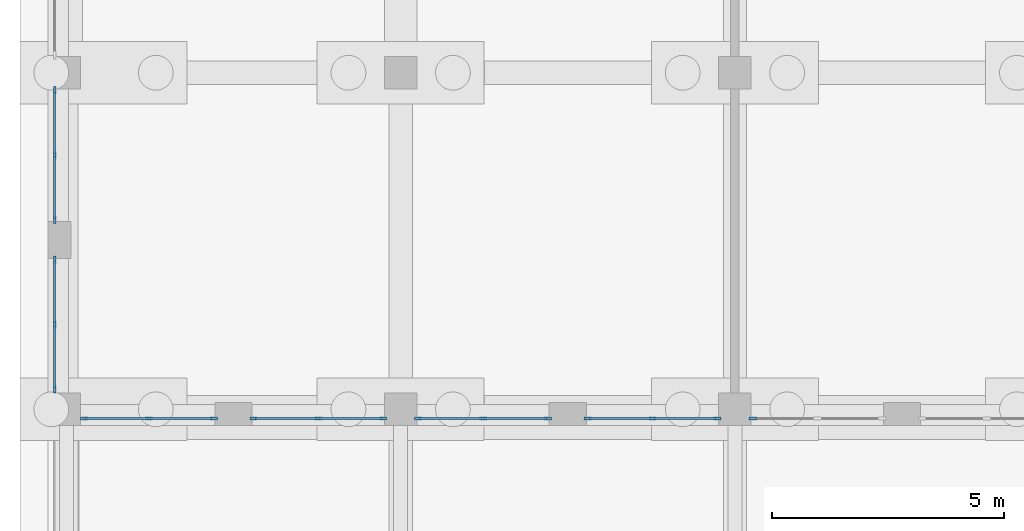
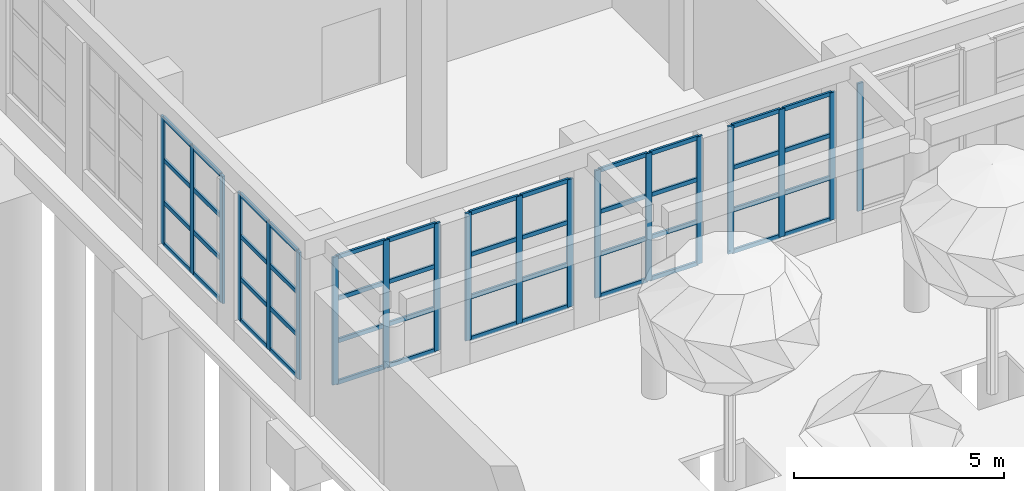
# One storey, part 21 of 80: 67 members, 7 elements without a shape of their own.
"""IFC4 building model written with IfcOpenShell, lengths in metres."""

from ifc_helpers import new_model, si_unit, direction, frame, origin, origin_2d, place, context, subcontext, project, spatial, rectangle, extrude, material, layer, layer_set, material_profile, profile_set, type_object, element, aggregate, save


model = new_model("IFC4")

# Units and contexts
model_context = context("Model", 3, precision=1e-05, world=origin(), true_north=direction((0.0, 1.0)))
body_context = subcontext(model_context, "Body", "Model", "MODEL_VIEW")
ifc_project = project(units=[si_unit("LENGTHUNIT", "METRE"), si_unit("AREAUNIT", "SQUARE_METRE"), si_unit("VOLUMEUNIT", "CUBIC_METRE"), si_unit("PLANEANGLEUNIT", "RADIAN"), si_unit("MASSUNIT", "GRAM", prefix="KILO")], contexts=[model_context])

# Site, building, storey
site_placement = place(None, origin())
site = spatial("IfcSite", under=ifc_project, at=site_placement, CompositionType="ELEMENT")
building_placement = place(site_placement, origin())
building = spatial("IfcBuilding", under=site, at=building_placement, Name="Ussher Court Research Institute", CompositionType="ELEMENT")
storey_placement = place(building_placement, origin())
storey = spatial("IfcBuildingStorey", under=building, at=storey_placement, Name="L00", CompositionType="ELEMENT", Elevation=0.0)

# Curtain wall, members
ifc_material_1 = material(Name="Bronze anodised aluminium with laminated safety glass", Category="aluminium")
ifc_layer = layer(ifc_material_1, 0.1201171875)
ifc_layer_set = layer_set([ifc_layer], Name="Bronze anodised aluminium with laminated safety glass")
curtain_wall_type = type_object("IfcCurtainWallType", Name="Curtain wall dry laboratory base storefront", PredefinedType="NOTDEFINED", material=ifc_layer_set)
curtain_wall_1_placement = place(storey_placement, origin())
curtain_wall_1 = element("IfcCurtainWall", 1, at=curtain_wall_1_placement, inside=storey, type_object=curtain_wall_type, Name="Curtain wall CW4 L00", PredefinedType="NOTDEFINED")
ifc_material_2 = material(Name="Bronze anodised aluminium", Category="aluminium")
ifc_material_profile_1 = material_profile(ifc_material_2, rectangle(XDim=0.06005859375, YDim=0.159912109375, at=origin_2d()), Name="Mullion 60x160")
ifc_profile_set_1 = profile_set([ifc_material_profile_1], Name="Bronze anodised aluminium")
member_type_1 = type_object("IfcMemberType", Name="Mullion 60x160", PredefinedType="MULLION", material=ifc_profile_set_1)
member_1_placement = place(storey_placement, frame((2.75, 69.179931640625, 0.60009765625), z_axis=(0.0, 0.0, 1.0), x_axis=(-1.0, 0.0, 0.0)))
member_1 = element("IfcMember", 2, at=member_1_placement, type_object=member_type_1, Name="CW4 mullion 1", PredefinedType="MULLION", context=body_context, shape_type="SweptSolid", body=[
    extrude(rectangle(XDim=0.06005859375, YDim=0.159912109375, at=origin_2d()), origin(), (0.0, 0.0, 1.0), 3.699951171875),
])
member_2_placement = place(storey_placement, frame((2.75, 70.574951171875, 0.60009765625), z_axis=(0.0, 0.0, 1.0), x_axis=(-1.0, 0.0, 0.0)))
member_2 = element("IfcMember", 3, at=member_2_placement, type_object=member_type_1, Name="CW4 mullion 2", PredefinedType="MULLION", context=body_context, shape_type="SweptSolid", body=[
    extrude(rectangle(XDim=0.06005859375, YDim=0.159912109375, at=origin_2d()), origin(), (0.0, 0.0, 1.0), 3.699951171875),
])
member_3_placement = place(storey_placement, frame((2.75, 71.969970703125, 0.60009765625), z_axis=(0.0, 0.0, 1.0), x_axis=(-1.0, 0.0, 0.0)))
member_3 = element("IfcMember", 4, at=member_3_placement, type_object=member_type_1, Name="CW4 mullion 3", PredefinedType="MULLION", context=body_context, shape_type="SweptSolid", body=[
    extrude(rectangle(XDim=0.06005859375, YDim=0.159912109375, at=origin_2d()), origin(), (0.0, 0.0, 1.0), 3.699951171875),
])

curtain_wall_2_placement = place(storey_placement, origin())
curtain_wall_2 = element("IfcCurtainWall", 5, at=curtain_wall_2_placement, inside=storey, type_object=curtain_wall_type, Name="Curtain wall CW4 L00", PredefinedType="NOTDEFINED")
member_4_placement = place(storey_placement, frame((2.75, 72.830078125, 0.60009765625), z_axis=(0.0, 0.0, 1.0), x_axis=(-1.0, 0.0, 0.0)))
member_4 = element("IfcMember", 6, at=member_4_placement, type_object=member_type_1, Name="CW4 mullion 1", PredefinedType="MULLION", context=body_context, shape_type="SweptSolid", body=[
    extrude(rectangle(XDim=0.06005859375, YDim=0.159912109375, at=origin_2d()), origin(), (0.0, 0.0, 1.0), 3.699951171875),
])
member_5_placement = place(storey_placement, frame((2.75, 74.22509765625, 0.60009765625), z_axis=(0.0, 0.0, 1.0), x_axis=(-1.0, 0.0, 0.0)))
member_5 = element("IfcMember", 7, at=member_5_placement, type_object=member_type_1, Name="CW4 mullion 2", PredefinedType="MULLION", context=body_context, shape_type="SweptSolid", body=[
    extrude(rectangle(XDim=0.06005859375, YDim=0.159912109375, at=origin_2d()), origin(), (0.0, 0.0, 1.0), 3.699951171875),
])
member_6_placement = place(storey_placement, frame((2.75, 75.6201171875, 0.60009765625), z_axis=(0.0, 0.0, 1.0), x_axis=(-1.0, 0.0, 0.0)))
member_6 = element("IfcMember", 8, at=member_6_placement, type_object=member_type_1, Name="CW4 mullion 3", PredefinedType="MULLION", context=body_context, shape_type="SweptSolid", body=[
    extrude(rectangle(XDim=0.06005859375, YDim=0.159912109375, at=origin_2d()), origin(), (0.0, 0.0, 1.0), 3.699951171875),
])

# Curtain wall, member
curtain_wall_3_placement = place(storey_placement, origin())
curtain_wall_3 = element("IfcCurtainWall", 9, at=curtain_wall_3_placement, inside=storey, type_object=curtain_wall_type, Name="Curtain wall CW4 L00", PredefinedType="NOTDEFINED")
member_7_placement = place(storey_placement, frame((17.780029296875, 68.550048828125, 0.60009765625), z_axis=(0.0, 0.0, 1.0), x_axis=(0.0, -1.0, 0.0)))
member_7 = element("IfcMember", 10, at=member_7_placement, type_object=member_type_1, Name="CW4 mullion 3", PredefinedType="MULLION", context=body_context, shape_type="SweptSolid", body=[
    extrude(rectangle(XDim=0.06005859375, YDim=0.159912109375, at=origin_2d()), origin(), (0.0, 0.0, 1.0), 3.699951171875),
])
aggregate(curtain_wall_3, [member_7])

# Curtain wall, members
curtain_wall_4_placement = place(storey_placement, origin())
curtain_wall_4 = element("IfcCurtainWall", 11, at=curtain_wall_4_placement, inside=storey, type_object=curtain_wall_type, Name="Curtain wall CW4 L00", PredefinedType="NOTDEFINED")
member_8_placement = place(storey_placement, frame((17.02001953125, 68.550048828125, 0.60009765625), z_axis=(0.0, 0.0, 1.0), x_axis=(0.0, -1.0, 0.0)))
member_8 = element("IfcMember", 12, at=member_8_placement, type_object=member_type_1, Name="CW4 mullion 1", PredefinedType="MULLION", context=body_context, shape_type="SweptSolid", body=[
    extrude(rectangle(XDim=0.06005859375, YDim=0.159912109375, at=origin_2d()), origin(), (0.0, 0.0, 1.0), 3.699951171875),
])
member_9_placement = place(storey_placement, frame((15.625, 68.550048828125, 0.60009765625), z_axis=(0.0, 0.0, 1.0), x_axis=(0.0, -1.0, 0.0)))
member_9 = element("IfcMember", 13, at=member_9_placement, type_object=member_type_1, Name="CW4 mullion 2", PredefinedType="MULLION", context=body_context, shape_type="SweptSolid", body=[
    extrude(rectangle(XDim=0.06005859375, YDim=0.159912109375, at=origin_2d()), origin(), (0.0, 0.0, 1.0), 3.699951171875),
])
member_10_placement = place(storey_placement, frame((14.22998046875, 68.550048828125, 0.60009765625), z_axis=(0.0, 0.0, 1.0), x_axis=(0.0, -1.0, 0.0)))
member_10 = element("IfcMember", 14, at=member_10_placement, type_object=member_type_1, Name="CW4 mullion 3", PredefinedType="MULLION", context=body_context, shape_type="SweptSolid", body=[
    extrude(rectangle(XDim=0.06005859375, YDim=0.159912109375, at=origin_2d()), origin(), (0.0, 0.0, 1.0), 3.699951171875),
])

curtain_wall_5_placement = place(storey_placement, origin())
curtain_wall_5 = element("IfcCurtainWall", 15, at=curtain_wall_5_placement, inside=storey, type_object=curtain_wall_type, Name="Curtain wall CW4 L00", PredefinedType="NOTDEFINED")
member_11_placement = place(storey_placement, frame((13.3701171875, 68.550048828125, 0.60009765625), z_axis=(0.0, 0.0, 1.0), x_axis=(0.0, -1.0, 0.0)))
member_11 = element("IfcMember", 16, at=member_11_placement, type_object=member_type_1, Name="CW4 mullion 1", PredefinedType="MULLION", context=body_context, shape_type="SweptSolid", body=[
    extrude(rectangle(XDim=0.06005859375, YDim=0.159912109375, at=origin_2d()), origin(), (0.0, 0.0, 1.0), 3.699951171875),
])
member_12_placement = place(storey_placement, frame((11.97509765625, 68.550048828125, 0.60009765625), z_axis=(0.0, 0.0, 1.0), x_axis=(0.0, -1.0, 0.0)))
member_12 = element("IfcMember", 17, at=member_12_placement, type_object=member_type_1, Name="CW4 mullion 2", PredefinedType="MULLION", context=body_context, shape_type="SweptSolid", body=[
    extrude(rectangle(XDim=0.06005859375, YDim=0.159912109375, at=origin_2d()), origin(), (0.0, 0.0, 1.0), 3.699951171875),
])
member_13_placement = place(storey_placement, frame((10.580078125, 68.550048828125, 0.60009765625), z_axis=(0.0, 0.0, 1.0), x_axis=(0.0, -1.0, 0.0)))
member_13 = element("IfcMember", 18, at=member_13_placement, type_object=member_type_1, Name="CW4 mullion 3", PredefinedType="MULLION", context=body_context, shape_type="SweptSolid", body=[
    extrude(rectangle(XDim=0.06005859375, YDim=0.159912109375, at=origin_2d()), origin(), (0.0, 0.0, 1.0), 3.699951171875),
])

curtain_wall_6_placement = place(storey_placement, origin())
curtain_wall_6 = element("IfcCurtainWall", 19, at=curtain_wall_6_placement, inside=storey, type_object=curtain_wall_type, Name="Curtain wall CW4 L00", PredefinedType="NOTDEFINED")
member_14_placement = place(storey_placement, frame((9.820068359375, 68.550048828125, 0.60009765625), z_axis=(0.0, 0.0, 1.0), x_axis=(0.0, -1.0, 0.0)))
member_14 = element("IfcMember", 20, at=member_14_placement, type_object=member_type_1, Name="CW4 mullion 1", PredefinedType="MULLION", context=body_context, shape_type="SweptSolid", body=[
    extrude(rectangle(XDim=0.06005859375, YDim=0.159912109375, at=origin_2d()), origin(), (0.0, 0.0, 1.0), 3.699951171875),
])
member_15_placement = place(storey_placement, frame((8.425048828125, 68.550048828125, 0.60009765625), z_axis=(0.0, 0.0, 1.0), x_axis=(0.0, -1.0, 0.0)))
member_15 = element("IfcMember", 21, at=member_15_placement, type_object=member_type_1, Name="CW4 mullion 2", PredefinedType="MULLION", context=body_context, shape_type="SweptSolid", body=[
    extrude(rectangle(XDim=0.06005859375, YDim=0.159912109375, at=origin_2d()), origin(), (0.0, 0.0, 1.0), 3.699951171875),
])
member_16_placement = place(storey_placement, frame((7.030029296875, 68.550048828125, 0.60009765625), z_axis=(0.0, 0.0, 1.0), x_axis=(0.0, -1.0, 0.0)))
member_16 = element("IfcMember", 22, at=member_16_placement, type_object=member_type_1, Name="CW4 mullion 3", PredefinedType="MULLION", context=body_context, shape_type="SweptSolid", body=[
    extrude(rectangle(XDim=0.06005859375, YDim=0.159912109375, at=origin_2d()), origin(), (0.0, 0.0, 1.0), 3.699951171875),
])

curtain_wall_7_placement = place(storey_placement, origin())
curtain_wall_7 = element("IfcCurtainWall", 23, at=curtain_wall_7_placement, inside=storey, type_object=curtain_wall_type, Name="Curtain wall CW4 L00", PredefinedType="NOTDEFINED")
member_17_placement = place(storey_placement, frame((6.169921875, 68.550048828125, 0.60009765625), z_axis=(0.0, 0.0, 1.0), x_axis=(0.0, -1.0, 0.0)))
member_17 = element("IfcMember", 24, at=member_17_placement, type_object=member_type_1, Name="CW4 mullion 1", PredefinedType="MULLION", context=body_context, shape_type="SweptSolid", body=[
    extrude(rectangle(XDim=0.06005859375, YDim=0.159912109375, at=origin_2d()), origin(), (0.0, 0.0, 1.0), 3.699951171875),
])
member_18_placement = place(storey_placement, frame((4.77490234375, 68.550048828125, 0.60009765625), z_axis=(0.0, 0.0, 1.0), x_axis=(0.0, -1.0, 0.0)))
member_18 = element("IfcMember", 25, at=member_18_placement, type_object=member_type_1, Name="CW4 mullion 2", PredefinedType="MULLION", context=body_context, shape_type="SweptSolid", body=[
    extrude(rectangle(XDim=0.06005859375, YDim=0.159912109375, at=origin_2d()), origin(), (0.0, 0.0, 1.0), 3.699951171875),
])
member_19_placement = place(storey_placement, frame((3.3798828125, 68.550048828125, 0.60009765625), z_axis=(0.0, 0.0, 1.0), x_axis=(0.0, -1.0, 0.0)))
member_19 = element("IfcMember", 26, at=member_19_placement, type_object=member_type_1, Name="CW4 mullion 3", PredefinedType="MULLION", context=body_context, shape_type="SweptSolid", body=[
    extrude(rectangle(XDim=0.06005859375, YDim=0.159912109375, at=origin_2d()), origin(), (0.0, 0.0, 1.0), 3.699951171875),
])

# Member
ifc_material_3 = material(Name="Bronze anodised aluminium", Category="aluminium")
ifc_material_profile_2 = material_profile(ifc_material_3, rectangle(XDim=0.06005859375, YDim=0.1201171875, at=origin_2d()), Name="Transom 60x120")
ifc_profile_set_2 = profile_set([ifc_material_profile_2], Name="Bronze anodised aluminium")
member_type_2 = type_object("IfcMemberType", Name="Transom 60x120", PredefinedType="USERDEFINED", material=ifc_profile_set_2)
member_20_placement = place(storey_placement, frame((2.75, 69.2099609375, 0.6298828125), z_axis=(0.0, 1.0, 0.0), x_axis=(-1.0, 0.0, 0.0)))
member_20 = element("IfcMember", 27, at=member_20_placement, type_object=member_type_2, Name="CW4 transom 1.1", ObjectType="TRANSOM", PredefinedType="USERDEFINED", context=body_context, shape_type="SweptSolid", body=[
    extrude(rectangle(XDim=0.06005859375, YDim=0.1201171875, at=origin_2d()), origin(), (0.0, 0.0, 1.0), 1.3349609375),
])

member_21_placement = place(storey_placement, frame((2.75, 69.2099609375, 1.833251953125), z_axis=(0.0, 1.0, 0.0), x_axis=(-1.0, 0.0, 0.0)))
member_21 = element("IfcMember", 28, at=member_21_placement, type_object=member_type_2, Name="CW4 transom 1.2", ObjectType="TRANSOM", PredefinedType="USERDEFINED", context=body_context, shape_type="SweptSolid", body=[
    extrude(rectangle(XDim=0.06005859375, YDim=0.1201171875, at=origin_2d()), origin(), (0.0, 0.0, 1.0), 1.3349609375),
])

member_22_placement = place(storey_placement, frame((2.75, 69.2099609375, 3.066650390625), z_axis=(0.0, 1.0, 0.0), x_axis=(-1.0, 0.0, 0.0)))
member_22 = element("IfcMember", 29, at=member_22_placement, type_object=member_type_2, Name="CW4 transom 1.3", ObjectType="TRANSOM", PredefinedType="USERDEFINED", context=body_context, shape_type="SweptSolid", body=[
    extrude(rectangle(XDim=0.06005859375, YDim=0.1201171875, at=origin_2d()), origin(), (0.0, 0.0, 1.0), 1.3349609375),
])

member_23_placement = place(storey_placement, frame((2.75, 69.2099609375, 4.27001953125), z_axis=(0.0, 1.0, 0.0), x_axis=(-1.0, 0.0, 0.0)))
member_23 = element("IfcMember", 30, at=member_23_placement, type_object=member_type_2, Name="CW4 transom 1.4", ObjectType="TRANSOM", PredefinedType="USERDEFINED", context=body_context, shape_type="SweptSolid", body=[
    extrude(rectangle(XDim=0.06005859375, YDim=0.1201171875, at=origin_2d()), origin(), (0.0, 0.0, 1.0), 1.3349609375),
])

member_24_placement = place(storey_placement, frame((2.75, 70.60498046875, 0.6298828125), z_axis=(0.0, 1.0, 0.0), x_axis=(-1.0, 0.0, 0.0)))
member_24 = element("IfcMember", 31, at=member_24_placement, type_object=member_type_2, Name="CW4 transom 2.1", ObjectType="TRANSOM", PredefinedType="USERDEFINED", context=body_context, shape_type="SweptSolid", body=[
    extrude(rectangle(XDim=0.06005859375, YDim=0.1201171875, at=origin_2d()), origin(), (0.0, 0.0, 1.0), 1.3349609375),
])

member_25_placement = place(storey_placement, frame((2.75, 70.60498046875, 1.833251953125), z_axis=(0.0, 1.0, 0.0), x_axis=(-1.0, 0.0, 0.0)))
member_25 = element("IfcMember", 32, at=member_25_placement, type_object=member_type_2, Name="CW4 transom 2.2", ObjectType="TRANSOM", PredefinedType="USERDEFINED", context=body_context, shape_type="SweptSolid", body=[
    extrude(rectangle(XDim=0.06005859375, YDim=0.1201171875, at=origin_2d()), origin(), (0.0, 0.0, 1.0), 1.3349609375),
])

member_26_placement = place(storey_placement, frame((2.75, 70.60498046875, 3.066650390625), z_axis=(0.0, 1.0, 0.0), x_axis=(-1.0, 0.0, 0.0)))
member_26 = element("IfcMember", 33, at=member_26_placement, type_object=member_type_2, Name="CW4 transom 2.3", ObjectType="TRANSOM", PredefinedType="USERDEFINED", context=body_context, shape_type="SweptSolid", body=[
    extrude(rectangle(XDim=0.06005859375, YDim=0.1201171875, at=origin_2d()), origin(), (0.0, 0.0, 1.0), 1.3349609375),
])

member_27_placement = place(storey_placement, frame((2.75, 70.60498046875, 4.27001953125), z_axis=(0.0, 1.0, 0.0), x_axis=(-1.0, 0.0, 0.0)))
member_27 = element("IfcMember", 34, at=member_27_placement, type_object=member_type_2, Name="CW4 transom 2.4", ObjectType="TRANSOM", PredefinedType="USERDEFINED", context=body_context, shape_type="SweptSolid", body=[
    extrude(rectangle(XDim=0.06005859375, YDim=0.1201171875, at=origin_2d()), origin(), (0.0, 0.0, 1.0), 1.3349609375),
])

aggregate(curtain_wall_1, [member_1, member_2, member_3, member_20, member_21, member_22, member_23, member_24, member_25, member_26, member_27])

member_28_placement = place(storey_placement, frame((2.75, 72.860107421875, 0.6298828125), z_axis=(0.0, 1.0, 0.0), x_axis=(-1.0, 0.0, 0.0)))
member_28 = element("IfcMember", 35, at=member_28_placement, type_object=member_type_2, Name="CW4 transom 1.1", ObjectType="TRANSOM", PredefinedType="USERDEFINED", context=body_context, shape_type="SweptSolid", body=[
    extrude(rectangle(XDim=0.06005859375, YDim=0.1201171875, at=origin_2d()), origin(), (0.0, 0.0, 1.0), 1.3349609375),
])

member_29_placement = place(storey_placement, frame((2.75, 72.860107421875, 1.833251953125), z_axis=(0.0, 1.0, 0.0), x_axis=(-1.0, 0.0, 0.0)))
member_29 = element("IfcMember", 36, at=member_29_placement, type_object=member_type_2, Name="CW4 transom 1.2", ObjectType="TRANSOM", PredefinedType="USERDEFINED", context=body_context, shape_type="SweptSolid", body=[
    extrude(rectangle(XDim=0.06005859375, YDim=0.1201171875, at=origin_2d()), origin(), (0.0, 0.0, 1.0), 1.3349609375),
])

member_30_placement = place(storey_placement, frame((2.75, 72.860107421875, 3.066650390625), z_axis=(0.0, 1.0, 0.0), x_axis=(-1.0, 0.0, 0.0)))
member_30 = element("IfcMember", 37, at=member_30_placement, type_object=member_type_2, Name="CW4 transom 1.3", ObjectType="TRANSOM", PredefinedType="USERDEFINED", context=body_context, shape_type="SweptSolid", body=[
    extrude(rectangle(XDim=0.06005859375, YDim=0.1201171875, at=origin_2d()), origin(), (0.0, 0.0, 1.0), 1.3349609375),
])

member_31_placement = place(storey_placement, frame((2.75, 72.860107421875, 4.27001953125), z_axis=(0.0, 1.0, 0.0), x_axis=(-1.0, 0.0, 0.0)))
member_31 = element("IfcMember", 38, at=member_31_placement, type_object=member_type_2, Name="CW4 transom 1.4", ObjectType="TRANSOM", PredefinedType="USERDEFINED", context=body_context, shape_type="SweptSolid", body=[
    extrude(rectangle(XDim=0.06005859375, YDim=0.1201171875, at=origin_2d()), origin(), (0.0, 0.0, 1.0), 1.3349609375),
])

member_32_placement = place(storey_placement, frame((2.75, 74.2548828125, 0.6298828125), z_axis=(0.0, 1.0, 0.0), x_axis=(-1.0, 0.0, 0.0)))
member_32 = element("IfcMember", 39, at=member_32_placement, type_object=member_type_2, Name="CW4 transom 2.1", ObjectType="TRANSOM", PredefinedType="USERDEFINED", context=body_context, shape_type="SweptSolid", body=[
    extrude(rectangle(XDim=0.06005859375, YDim=0.1201171875, at=origin_2d()), origin(), (0.0, 0.0, 1.0), 1.335205078125),
])

member_33_placement = place(storey_placement, frame((2.75, 74.2548828125, 1.833251953125), z_axis=(0.0, 1.0, 0.0), x_axis=(-1.0, 0.0, 0.0)))
member_33 = element("IfcMember", 40, at=member_33_placement, type_object=member_type_2, Name="CW4 transom 2.2", ObjectType="TRANSOM", PredefinedType="USERDEFINED", context=body_context, shape_type="SweptSolid", body=[
    extrude(rectangle(XDim=0.06005859375, YDim=0.1201171875, at=origin_2d()), origin(), (0.0, 0.0, 1.0), 1.335205078125),
])

member_34_placement = place(storey_placement, frame((2.75, 74.2548828125, 3.066650390625), z_axis=(0.0, 1.0, 0.0), x_axis=(-1.0, 0.0, 0.0)))
member_34 = element("IfcMember", 41, at=member_34_placement, type_object=member_type_2, Name="CW4 transom 2.3", ObjectType="TRANSOM", PredefinedType="USERDEFINED", context=body_context, shape_type="SweptSolid", body=[
    extrude(rectangle(XDim=0.06005859375, YDim=0.1201171875, at=origin_2d()), origin(), (0.0, 0.0, 1.0), 1.335205078125),
])

member_35_placement = place(storey_placement, frame((2.75, 74.2548828125, 4.27001953125), z_axis=(0.0, 1.0, 0.0), x_axis=(-1.0, 0.0, 0.0)))
member_35 = element("IfcMember", 42, at=member_35_placement, type_object=member_type_2, Name="CW4 transom 2.4", ObjectType="TRANSOM", PredefinedType="USERDEFINED", context=body_context, shape_type="SweptSolid", body=[
    extrude(rectangle(XDim=0.06005859375, YDim=0.1201171875, at=origin_2d()), origin(), (0.0, 0.0, 1.0), 1.335205078125),
])

aggregate(curtain_wall_2, [member_4, member_5, member_6, member_28, member_29, member_30, member_31, member_32, member_33, member_34, member_35])

member_36_placement = place(storey_placement, frame((16.989990234375, 68.550048828125, 0.6298828125), z_axis=(-1.0, 0.0, 0.0), x_axis=(0.0, -1.0, 0.0)))
member_36 = element("IfcMember", 43, at=member_36_placement, type_object=member_type_2, Name="CW4 transom 1.1", ObjectType="TRANSOM", PredefinedType="USERDEFINED", context=body_context, shape_type="SweptSolid", body=[
    extrude(rectangle(XDim=0.06005859375, YDim=0.1201171875, at=origin_2d()), origin(), (0.0, 0.0, 1.0), 1.3349609375),
])

member_37_placement = place(storey_placement, frame((16.989990234375, 68.550048828125, 1.833251953125), z_axis=(-1.0, 0.0, 0.0), x_axis=(0.0, -1.0, 0.0)))
member_37 = element("IfcMember", 44, at=member_37_placement, type_object=member_type_2, Name="CW4 transom 1.2", ObjectType="TRANSOM", PredefinedType="USERDEFINED", context=body_context, shape_type="SweptSolid", body=[
    extrude(rectangle(XDim=0.06005859375, YDim=0.1201171875, at=origin_2d()), origin(), (0.0, 0.0, 1.0), 1.3349609375),
])

member_38_placement = place(storey_placement, frame((16.989990234375, 68.550048828125, 3.066650390625), z_axis=(-1.0, 0.0, 0.0), x_axis=(0.0, -1.0, 0.0)))
member_38 = element("IfcMember", 45, at=member_38_placement, type_object=member_type_2, Name="CW4 transom 1.3", ObjectType="TRANSOM", PredefinedType="USERDEFINED", context=body_context, shape_type="SweptSolid", body=[
    extrude(rectangle(XDim=0.06005859375, YDim=0.1201171875, at=origin_2d()), origin(), (0.0, 0.0, 1.0), 1.3349609375),
])

member_39_placement = place(storey_placement, frame((16.989990234375, 68.550048828125, 4.27001953125), z_axis=(-1.0, 0.0, 0.0), x_axis=(0.0, -1.0, 0.0)))
member_39 = element("IfcMember", 46, at=member_39_placement, type_object=member_type_2, Name="CW4 transom 1.4", ObjectType="TRANSOM", PredefinedType="USERDEFINED", context=body_context, shape_type="SweptSolid", body=[
    extrude(rectangle(XDim=0.06005859375, YDim=0.1201171875, at=origin_2d()), origin(), (0.0, 0.0, 1.0), 1.3349609375),
])

member_40_placement = place(storey_placement, frame((15.594970703125, 68.550048828125, 0.6298828125), z_axis=(-1.0, 0.0, 0.0), x_axis=(0.0, -1.0, 0.0)))
member_40 = element("IfcMember", 47, at=member_40_placement, type_object=member_type_2, Name="CW4 transom 2.1", ObjectType="TRANSOM", PredefinedType="USERDEFINED", context=body_context, shape_type="SweptSolid", body=[
    extrude(rectangle(XDim=0.06005859375, YDim=0.1201171875, at=origin_2d()), origin(), (0.0, 0.0, 1.0), 1.3349609375),
])

member_41_placement = place(storey_placement, frame((15.594970703125, 68.550048828125, 1.833251953125), z_axis=(-1.0, 0.0, 0.0), x_axis=(0.0, -1.0, 0.0)))
member_41 = element("IfcMember", 48, at=member_41_placement, type_object=member_type_2, Name="CW4 transom 2.2", ObjectType="TRANSOM", PredefinedType="USERDEFINED", context=body_context, shape_type="SweptSolid", body=[
    extrude(rectangle(XDim=0.06005859375, YDim=0.1201171875, at=origin_2d()), origin(), (0.0, 0.0, 1.0), 1.3349609375),
])

member_42_placement = place(storey_placement, frame((15.594970703125, 68.550048828125, 3.066650390625), z_axis=(-1.0, 0.0, 0.0), x_axis=(0.0, -1.0, 0.0)))
member_42 = element("IfcMember", 49, at=member_42_placement, type_object=member_type_2, Name="CW4 transom 2.3", ObjectType="TRANSOM", PredefinedType="USERDEFINED", context=body_context, shape_type="SweptSolid", body=[
    extrude(rectangle(XDim=0.06005859375, YDim=0.1201171875, at=origin_2d()), origin(), (0.0, 0.0, 1.0), 1.3349609375),
])

member_43_placement = place(storey_placement, frame((15.594970703125, 68.550048828125, 4.27001953125), z_axis=(-1.0, 0.0, 0.0), x_axis=(0.0, -1.0, 0.0)))
member_43 = element("IfcMember", 50, at=member_43_placement, type_object=member_type_2, Name="CW4 transom 2.4", ObjectType="TRANSOM", PredefinedType="USERDEFINED", context=body_context, shape_type="SweptSolid", body=[
    extrude(rectangle(XDim=0.06005859375, YDim=0.1201171875, at=origin_2d()), origin(), (0.0, 0.0, 1.0), 1.3349609375),
])

aggregate(curtain_wall_4, [member_8, member_9, member_10, member_36, member_37, member_38, member_39, member_40, member_41, member_42, member_43])

member_44_placement = place(storey_placement, frame((13.340087890625, 68.550048828125, 0.6298828125), z_axis=(-1.0, 0.0, 0.0), x_axis=(0.0, -1.0, 0.0)))
member_44 = element("IfcMember", 51, at=member_44_placement, type_object=member_type_2, Name="CW4 transom 1.1", ObjectType="TRANSOM", PredefinedType="USERDEFINED", context=body_context, shape_type="SweptSolid", body=[
    extrude(rectangle(XDim=0.06005859375, YDim=0.1201171875, at=origin_2d()), origin(), (0.0, 0.0, 1.0), 1.335205078125),
])

member_45_placement = place(storey_placement, frame((13.340087890625, 68.550048828125, 1.833251953125), z_axis=(-1.0, 0.0, 0.0), x_axis=(0.0, -1.0, 0.0)))
member_45 = element("IfcMember", 52, at=member_45_placement, type_object=member_type_2, Name="CW4 transom 1.2", ObjectType="TRANSOM", PredefinedType="USERDEFINED", context=body_context, shape_type="SweptSolid", body=[
    extrude(rectangle(XDim=0.06005859375, YDim=0.1201171875, at=origin_2d()), origin(), (0.0, 0.0, 1.0), 1.335205078125),
])

member_46_placement = place(storey_placement, frame((13.340087890625, 68.550048828125, 3.066650390625), z_axis=(-1.0, 0.0, 0.0), x_axis=(0.0, -1.0, 0.0)))
member_46 = element("IfcMember", 53, at=member_46_placement, type_object=member_type_2, Name="CW4 transom 1.3", ObjectType="TRANSOM", PredefinedType="USERDEFINED", context=body_context, shape_type="SweptSolid", body=[
    extrude(rectangle(XDim=0.06005859375, YDim=0.1201171875, at=origin_2d()), origin(), (0.0, 0.0, 1.0), 1.335205078125),
])

member_47_placement = place(storey_placement, frame((13.340087890625, 68.550048828125, 4.27001953125), z_axis=(-1.0, 0.0, 0.0), x_axis=(0.0, -1.0, 0.0)))
member_47 = element("IfcMember", 54, at=member_47_placement, type_object=member_type_2, Name="CW4 transom 1.4", ObjectType="TRANSOM", PredefinedType="USERDEFINED", context=body_context, shape_type="SweptSolid", body=[
    extrude(rectangle(XDim=0.06005859375, YDim=0.1201171875, at=origin_2d()), origin(), (0.0, 0.0, 1.0), 1.335205078125),
])

member_48_placement = place(storey_placement, frame((11.945068359375, 68.550048828125, 0.6298828125), z_axis=(-1.0, 0.0, 0.0), x_axis=(0.0, -1.0, 0.0)))
member_48 = element("IfcMember", 55, at=member_48_placement, type_object=member_type_2, Name="CW4 transom 2.1", ObjectType="TRANSOM", PredefinedType="USERDEFINED", context=body_context, shape_type="SweptSolid", body=[
    extrude(rectangle(XDim=0.06005859375, YDim=0.1201171875, at=origin_2d()), origin(), (0.0, 0.0, 1.0), 1.3349609375),
])

member_49_placement = place(storey_placement, frame((11.945068359375, 68.550048828125, 1.833251953125), z_axis=(-1.0, 0.0, 0.0), x_axis=(0.0, -1.0, 0.0)))
member_49 = element("IfcMember", 56, at=member_49_placement, type_object=member_type_2, Name="CW4 transom 2.2", ObjectType="TRANSOM", PredefinedType="USERDEFINED", context=body_context, shape_type="SweptSolid", body=[
    extrude(rectangle(XDim=0.06005859375, YDim=0.1201171875, at=origin_2d()), origin(), (0.0, 0.0, 1.0), 1.3349609375),
])

member_50_placement = place(storey_placement, frame((11.945068359375, 68.550048828125, 3.066650390625), z_axis=(-1.0, 0.0, 0.0), x_axis=(0.0, -1.0, 0.0)))
member_50 = element("IfcMember", 57, at=member_50_placement, type_object=member_type_2, Name="CW4 transom 2.3", ObjectType="TRANSOM", PredefinedType="USERDEFINED", context=body_context, shape_type="SweptSolid", body=[
    extrude(rectangle(XDim=0.06005859375, YDim=0.1201171875, at=origin_2d()), origin(), (0.0, 0.0, 1.0), 1.3349609375),
])

member_51_placement = place(storey_placement, frame((11.945068359375, 68.550048828125, 4.27001953125), z_axis=(-1.0, 0.0, 0.0), x_axis=(0.0, -1.0, 0.0)))
member_51 = element("IfcMember", 58, at=member_51_placement, type_object=member_type_2, Name="CW4 transom 2.4", ObjectType="TRANSOM", PredefinedType="USERDEFINED", context=body_context, shape_type="SweptSolid", body=[
    extrude(rectangle(XDim=0.06005859375, YDim=0.1201171875, at=origin_2d()), origin(), (0.0, 0.0, 1.0), 1.3349609375),
])

aggregate(curtain_wall_5, [member_11, member_12, member_13, member_44, member_45, member_46, member_47, member_48, member_49, member_50, member_51])

member_52_placement = place(storey_placement, frame((9.7900390625, 68.550048828125, 0.6298828125), z_axis=(-1.0, 0.0, 0.0), x_axis=(0.0, -1.0, 0.0)))
member_52 = element("IfcMember", 59, at=member_52_placement, type_object=member_type_2, Name="CW4 transom 1.1", ObjectType="TRANSOM", PredefinedType="USERDEFINED", context=body_context, shape_type="SweptSolid", body=[
    extrude(rectangle(XDim=0.06005859375, YDim=0.1201171875, at=origin_2d()), origin(), (0.0, 0.0, 1.0), 1.3349609375),
])

member_53_placement = place(storey_placement, frame((9.7900390625, 68.550048828125, 1.833251953125), z_axis=(-1.0, 0.0, 0.0), x_axis=(0.0, -1.0, 0.0)))
member_53 = element("IfcMember", 60, at=member_53_placement, type_object=member_type_2, Name="CW4 transom 1.2", ObjectType="TRANSOM", PredefinedType="USERDEFINED", context=body_context, shape_type="SweptSolid", body=[
    extrude(rectangle(XDim=0.06005859375, YDim=0.1201171875, at=origin_2d()), origin(), (0.0, 0.0, 1.0), 1.3349609375),
])

member_54_placement = place(storey_placement, frame((9.7900390625, 68.550048828125, 3.066650390625), z_axis=(-1.0, 0.0, 0.0), x_axis=(0.0, -1.0, 0.0)))
member_54 = element("IfcMember", 61, at=member_54_placement, type_object=member_type_2, Name="CW4 transom 1.3", ObjectType="TRANSOM", PredefinedType="USERDEFINED", context=body_context, shape_type="SweptSolid", body=[
    extrude(rectangle(XDim=0.06005859375, YDim=0.1201171875, at=origin_2d()), origin(), (0.0, 0.0, 1.0), 1.3349609375),
])

member_55_placement = place(storey_placement, frame((9.7900390625, 68.550048828125, 4.27001953125), z_axis=(-1.0, 0.0, 0.0), x_axis=(0.0, -1.0, 0.0)))
member_55 = element("IfcMember", 62, at=member_55_placement, type_object=member_type_2, Name="CW4 transom 1.4", ObjectType="TRANSOM", PredefinedType="USERDEFINED", context=body_context, shape_type="SweptSolid", body=[
    extrude(rectangle(XDim=0.06005859375, YDim=0.1201171875, at=origin_2d()), origin(), (0.0, 0.0, 1.0), 1.3349609375),
])

member_56_placement = place(storey_placement, frame((8.39501953125, 68.550048828125, 0.6298828125), z_axis=(-1.0, 0.0, 0.0), x_axis=(0.0, -1.0, 0.0)))
member_56 = element("IfcMember", 63, at=member_56_placement, type_object=member_type_2, Name="CW4 transom 2.1", ObjectType="TRANSOM", PredefinedType="USERDEFINED", context=body_context, shape_type="SweptSolid", body=[
    extrude(rectangle(XDim=0.06005859375, YDim=0.1201171875, at=origin_2d()), origin(), (0.0, 0.0, 1.0), 1.3349609375),
])

member_57_placement = place(storey_placement, frame((8.39501953125, 68.550048828125, 1.833251953125), z_axis=(-1.0, 0.0, 0.0), x_axis=(0.0, -1.0, 0.0)))
member_57 = element("IfcMember", 64, at=member_57_placement, type_object=member_type_2, Name="CW4 transom 2.2", ObjectType="TRANSOM", PredefinedType="USERDEFINED", context=body_context, shape_type="SweptSolid", body=[
    extrude(rectangle(XDim=0.06005859375, YDim=0.1201171875, at=origin_2d()), origin(), (0.0, 0.0, 1.0), 1.3349609375),
])

member_58_placement = place(storey_placement, frame((8.39501953125, 68.550048828125, 3.066650390625), z_axis=(-1.0, 0.0, 0.0), x_axis=(0.0, -1.0, 0.0)))
member_58 = element("IfcMember", 65, at=member_58_placement, type_object=member_type_2, Name="CW4 transom 2.3", ObjectType="TRANSOM", PredefinedType="USERDEFINED", context=body_context, shape_type="SweptSolid", body=[
    extrude(rectangle(XDim=0.06005859375, YDim=0.1201171875, at=origin_2d()), origin(), (0.0, 0.0, 1.0), 1.3349609375),
])

member_59_placement = place(storey_placement, frame((8.39501953125, 68.550048828125, 4.27001953125), z_axis=(-1.0, 0.0, 0.0), x_axis=(0.0, -1.0, 0.0)))
member_59 = element("IfcMember", 66, at=member_59_placement, type_object=member_type_2, Name="CW4 transom 2.4", ObjectType="TRANSOM", PredefinedType="USERDEFINED", context=body_context, shape_type="SweptSolid", body=[
    extrude(rectangle(XDim=0.06005859375, YDim=0.1201171875, at=origin_2d()), origin(), (0.0, 0.0, 1.0), 1.3349609375),
])

aggregate(curtain_wall_6, [member_14, member_15, member_16, member_52, member_53, member_54, member_55, member_56, member_57, member_58, member_59])

member_60_placement = place(storey_placement, frame((6.139892578125, 68.550048828125, 0.6298828125), z_axis=(-1.0, 0.0, 0.0), x_axis=(0.0, -1.0, 0.0)))
member_60 = element("IfcMember", 67, at=member_60_placement, type_object=member_type_2, Name="CW4 transom 1.1", ObjectType="TRANSOM", PredefinedType="USERDEFINED", context=body_context, shape_type="SweptSolid", body=[
    extrude(rectangle(XDim=0.06005859375, YDim=0.1201171875, at=origin_2d()), origin(), (0.0, 0.0, 1.0), 1.3349609375),
])

member_61_placement = place(storey_placement, frame((6.139892578125, 68.550048828125, 1.833251953125), z_axis=(-1.0, 0.0, 0.0), x_axis=(0.0, -1.0, 0.0)))
member_61 = element("IfcMember", 68, at=member_61_placement, type_object=member_type_2, Name="CW4 transom 1.2", ObjectType="TRANSOM", PredefinedType="USERDEFINED", context=body_context, shape_type="SweptSolid", body=[
    extrude(rectangle(XDim=0.06005859375, YDim=0.1201171875, at=origin_2d()), origin(), (0.0, 0.0, 1.0), 1.3349609375),
])

member_62_placement = place(storey_placement, frame((6.139892578125, 68.550048828125, 3.066650390625), z_axis=(-1.0, 0.0, 0.0), x_axis=(0.0, -1.0, 0.0)))
member_62 = element("IfcMember", 69, at=member_62_placement, type_object=member_type_2, Name="CW4 transom 1.3", ObjectType="TRANSOM", PredefinedType="USERDEFINED", context=body_context, shape_type="SweptSolid", body=[
    extrude(rectangle(XDim=0.06005859375, YDim=0.1201171875, at=origin_2d()), origin(), (0.0, 0.0, 1.0), 1.3349609375),
])

member_63_placement = place(storey_placement, frame((6.139892578125, 68.550048828125, 4.27001953125), z_axis=(-1.0, 0.0, 0.0), x_axis=(0.0, -1.0, 0.0)))
member_63 = element("IfcMember", 70, at=member_63_placement, type_object=member_type_2, Name="CW4 transom 1.4", ObjectType="TRANSOM", PredefinedType="USERDEFINED", context=body_context, shape_type="SweptSolid", body=[
    extrude(rectangle(XDim=0.06005859375, YDim=0.1201171875, at=origin_2d()), origin(), (0.0, 0.0, 1.0), 1.3349609375),
])

member_64_placement = place(storey_placement, frame((4.7451171875, 68.550048828125, 0.6298828125), z_axis=(-1.0, 0.0, 0.0), x_axis=(0.0, -1.0, 0.0)))
member_64 = element("IfcMember", 71, at=member_64_placement, type_object=member_type_2, Name="CW4 transom 2.1", ObjectType="TRANSOM", PredefinedType="USERDEFINED", context=body_context, shape_type="SweptSolid", body=[
    extrude(rectangle(XDim=0.06005859375, YDim=0.1201171875, at=origin_2d()), origin(), (0.0, 0.0, 1.0), 1.335205078125),
])

member_65_placement = place(storey_placement, frame((4.7451171875, 68.550048828125, 1.833251953125), z_axis=(-1.0, 0.0, 0.0), x_axis=(0.0, -1.0, 0.0)))
member_65 = element("IfcMember", 72, at=member_65_placement, type_object=member_type_2, Name="CW4 transom 2.2", ObjectType="TRANSOM", PredefinedType="USERDEFINED", context=body_context, shape_type="SweptSolid", body=[
    extrude(rectangle(XDim=0.06005859375, YDim=0.1201171875, at=origin_2d()), origin(), (0.0, 0.0, 1.0), 1.335205078125),
])

member_66_placement = place(storey_placement, frame((4.7451171875, 68.550048828125, 3.066650390625), z_axis=(-1.0, 0.0, 0.0), x_axis=(0.0, -1.0, 0.0)))
member_66 = element("IfcMember", 73, at=member_66_placement, type_object=member_type_2, Name="CW4 transom 2.3", ObjectType="TRANSOM", PredefinedType="USERDEFINED", context=body_context, shape_type="SweptSolid", body=[
    extrude(rectangle(XDim=0.06005859375, YDim=0.1201171875, at=origin_2d()), origin(), (0.0, 0.0, 1.0), 1.335205078125),
])

member_67_placement = place(storey_placement, frame((4.7451171875, 68.550048828125, 4.27001953125), z_axis=(-1.0, 0.0, 0.0), x_axis=(0.0, -1.0, 0.0)))
member_67 = element("IfcMember", 74, at=member_67_placement, type_object=member_type_2, Name="CW4 transom 2.4", ObjectType="TRANSOM", PredefinedType="USERDEFINED", context=body_context, shape_type="SweptSolid", body=[
    extrude(rectangle(XDim=0.06005859375, YDim=0.1201171875, at=origin_2d()), origin(), (0.0, 0.0, 1.0), 1.335205078125),
])

aggregate(curtain_wall_7, [member_17, member_18, member_19, member_60, member_61, member_62, member_63, member_64, member_65, member_66, member_67])

save(model, "model.ifc")
